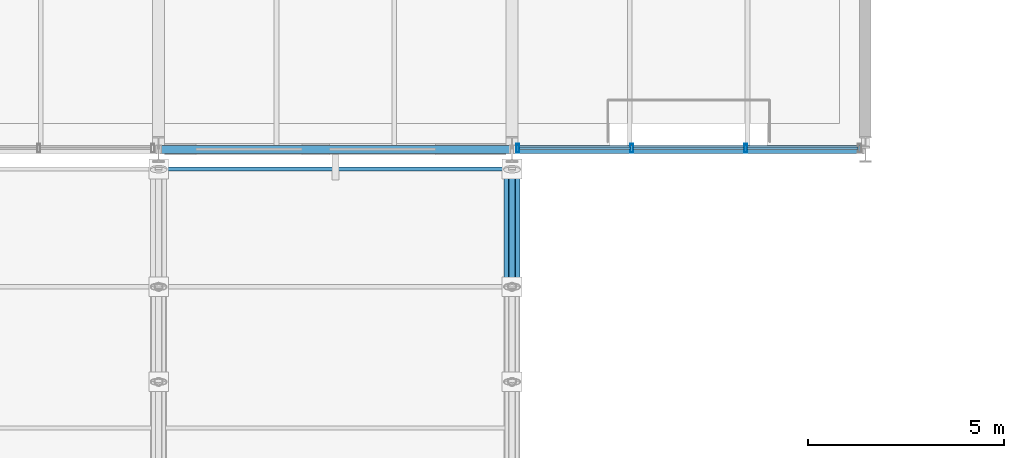
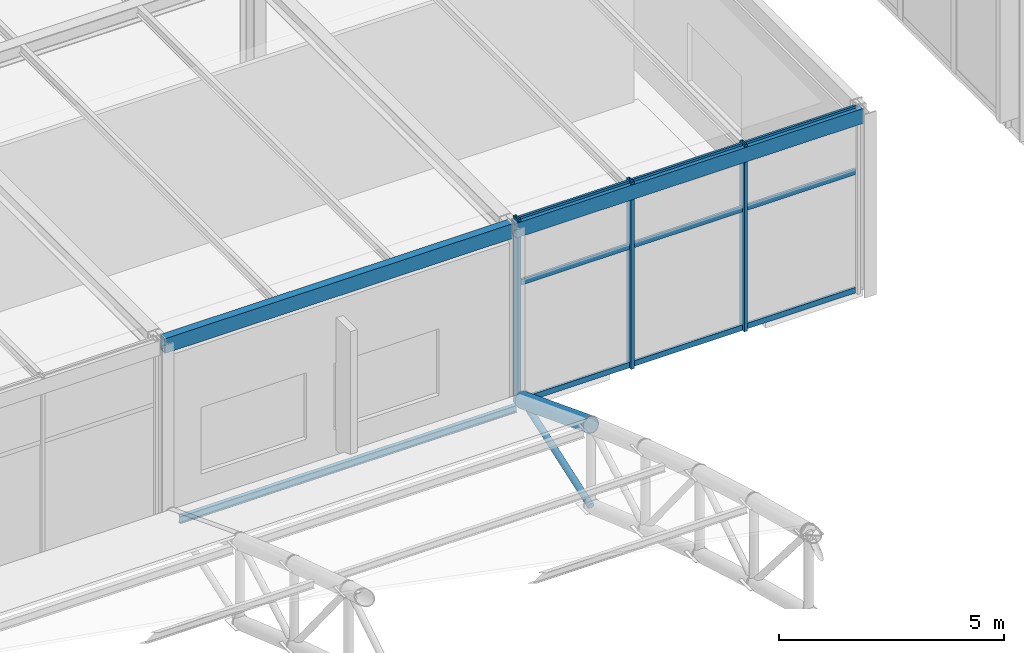
# One storey, part 50 of 195: 15 members, 2 beams, 1 element without a shape of its own.
"""IFC4 building model written with IfcOpenShell, lengths in metres."""

from ifc_helpers import new_model, si_unit, direction, frame, origin, origin_2d, place, context, subcontext, project, spatial, hollow_rectangle, hollow_circle, i_section, extrude, material, layer, layer_set, material_profile, profile_set, type_object, element, aggregate, save


model = new_model("IFC4")

# Units and contexts
model_context = context("Model", 3, precision=1e-05, world=origin(), true_north=direction((0.0, 1.0)))
body_context = subcontext(model_context, "Body", "Model", "MODEL_VIEW")
ifc_project = project(units=[si_unit("LENGTHUNIT", "METRE"), si_unit("AREAUNIT", "SQUARE_METRE"), si_unit("VOLUMEUNIT", "CUBIC_METRE"), si_unit("PLANEANGLEUNIT", "RADIAN"), si_unit("MASSUNIT", "GRAM", prefix="KILO")], contexts=[model_context])

# Site, building, storey
site_placement = place(None, origin())
site = spatial("IfcSite", under=ifc_project, at=site_placement, CompositionType="ELEMENT")
building_placement = place(site_placement, origin())
building = spatial("IfcBuilding", under=site, at=building_placement, Name="Marlcrest Central Station", CompositionType="ELEMENT")
storey_placement = place(building_placement, frame((0.0, 0.0, 9.800048828125)))
storey = spatial("IfcBuildingStorey", under=building, at=storey_placement, Name="L02", CompositionType="ELEMENT", Elevation=9.800048828125)

# Members
ifc_material_1 = material(Name="Steel S355", Category="steel")
ifc_material_profile_1 = material_profile(ifc_material_1, hollow_circle(Radius=0.203125, WallThickness=0.02001953125, at=origin_2d()), Name="CHS 406.4x20")
ifc_profile_set_1 = profile_set([ifc_material_profile_1], Name="Steel S355")
member_type_1 = type_object("IfcMemberType", Name="AC-01", PredefinedType="CHORD", material=ifc_profile_set_1)
member_1_placement = place(storey_placement, frame((72.0, 95.5, 1.599853515625), z_axis=(0.0, 0.933324071143, -0.359035065453), x_axis=(-1.0, 0.0, 0.0)))
element("IfcMember", 1, at=member_1_placement, inside=storey, type_object=member_type_1, Name="mem-AC-01-L02-01087", PredefinedType="CHORD", context=body_context, shape_type="SweptSolid", body=[
    extrude(hollow_circle(Radius=0.203125, WallThickness=0.02001953125, at=origin_2d()), origin(), (0.0, 0.0, 1.0), 3.21435546875),
])
ifc_material_profile_2 = material_profile(ifc_material_1, hollow_circle(Radius=0.084228515625, WallThickness=0.010009765625, at=origin_2d()), Name="CHS 168.3x10")
ifc_profile_set_2 = profile_set([ifc_material_profile_2], Name="Steel S355")
member_type_2 = type_object("IfcMemberType", Name="AD-01", PredefinedType="BRACE", material=ifc_profile_set_2)
member_2_placement = place(storey_placement, frame((72.0, 95.5, -0.60009765625), z_axis=(0.0, 0.944260188635, 0.329200085296), x_axis=(-1.0, 0.0, 0.0)))
element("IfcMember", 2, at=member_2_placement, inside=storey, type_object=member_type_2, Name="mem-AD-01-L02-01089", PredefinedType="BRACE", context=body_context, shape_type="SweptSolid", body=[
    extrude(hollow_circle(Radius=0.084228515625, WallThickness=0.010009765625, at=origin_2d()), origin(), (0.0, 0.0, 1.0), 3.177001953125),
])

# Curtain wall, members
ifc_material_2 = material(Name="Anodised aluminium and hurricane laminated glass", Category="aluminium")
ifc_layer = layer(ifc_material_2, 0.219970703125, Name="CW-U1")
ifc_layer_set = layer_set([ifc_layer], Name="Anodised aluminium and hurricane laminated glass")
curtain_wall_type = type_object("IfcCurtainWallType", Name="CW-U1", PredefinedType="USERDEFINED", material=ifc_layer_set)
curtain_wall_placement = place(storey_placement, origin())
curtain_wall = element("IfcCurtainWall", 3, at=curtain_wall_placement, inside=storey, type_object=curtain_wall_type, Name="cw-L02-0165", ObjectType="UNITISED_CURTAIN_WALL", PredefinedType="USERDEFINED")
ifc_material_3 = material(Name="Anodised aluminium 6063-T6", Category="aluminium")
ifc_material_profile_3 = material_profile(ifc_material_3, hollow_rectangle(XDim=0.080078125, YDim=0.219970703125, WallThickness=0.006103515625, at=origin_2d()), Name="AA-RHS 220x80x6")
ifc_profile_set_3 = profile_set([ifc_material_profile_3], Name="Anodised aluminium 6063-T6")
member_type_3 = type_object("IfcMemberType", Name="ML-01", PredefinedType="MULLION", material=ifc_profile_set_3)
member_3_placement = place(storey_placement, frame((77.949951171875, 99.030029296875, -0.030029296875), z_axis=(0.0, 0.0, 1.0), x_axis=(1.0, 0.0, 0.0)))
member_3 = element("IfcMember", 4, at=member_3_placement, type_object=member_type_3, Name="cw-L02-0165-ml-1", PredefinedType="MULLION", context=body_context, shape_type="SweptSolid", body=[
    extrude(hollow_rectangle(XDim=0.080078125, YDim=0.219970703125, WallThickness=0.006103515625, at=origin_2d()), origin(), (0.0, 0.0, 1.0), 5.06005859375),
])
member_4_placement = place(storey_placement, frame((75.050048828125, 99.030029296875, -0.030029296875), z_axis=(0.0, 0.0, 1.0), x_axis=(1.0, 0.0, 0.0)))
member_4 = element("IfcMember", 5, at=member_4_placement, type_object=member_type_3, Name="cw-L02-0165-ml-2", PredefinedType="MULLION", context=body_context, shape_type="SweptSolid", body=[
    extrude(hollow_rectangle(XDim=0.080078125, YDim=0.219970703125, WallThickness=0.006103515625, at=origin_2d()), origin(), (0.0, 0.0, 1.0), 5.06005859375),
])
member_5_placement = place(storey_placement, frame((72.14990234375, 99.030029296875, -0.030029296875), z_axis=(0.0, 0.0, 1.0), x_axis=(1.0, 0.0, 0.0)))
member_5 = element("IfcMember", 6, at=member_5_placement, type_object=member_type_3, Name="cw-L02-0165-ml-3", PredefinedType="MULLION", context=body_context, shape_type="SweptSolid", body=[
    extrude(hollow_rectangle(XDim=0.080078125, YDim=0.219970703125, WallThickness=0.006103515625, at=origin_2d()), origin(), (0.0, 0.0, 1.0), 5.06005859375),
])

# Member
ifc_material_profile_4 = material_profile(ifc_material_1, i_section(OverallWidth=0.10009765625, OverallDepth=0.199951171875, WebThickness=0.005615234375, FlangeThickness=0.008544921875, FilletRadius=0.011962890625, at=origin_2d()), Name="IPE 200")
ifc_profile_set_4 = profile_set([ifc_material_profile_4], Name="Steel S355")
member_type_4 = type_object("IfcMemberType", Name="PR-01", PredefinedType="PURLIN", material=ifc_profile_set_4)
member_6_placement = place(storey_placement, frame((63.179931640625, 98.5, 0.3056640625), z_axis=(1.0, 0.0, 0.0), x_axis=(0.0, 1.0, 0.0)))
element("IfcMember", 7, at=member_6_placement, inside=storey, type_object=member_type_4, Name="mem-PR-01-L02-00988", PredefinedType="PURLIN", context=body_context, shape_type="SweptSolid", body=[
    extrude(i_section(OverallWidth=0.10009765625, OverallDepth=0.199951171875, WebThickness=0.005615234375, FlangeThickness=0.008544921875, FilletRadius=0.011962890625, at=origin_2d()), origin(), (0.0, 0.0, 1.0), 8.64013671875),
])

# Beams
ifc_material_profile_5 = material_profile(ifc_material_1, hollow_rectangle(XDim=0.199951171875, YDim=0.39990234375, WallThickness=0.01611328125, at=origin_2d()), Name="RHS 400x200x16")
ifc_profile_set_5 = profile_set([ifc_material_profile_5], Name="Steel S355")
beam_type = type_object("IfcBeamType", Name="SP-01", PredefinedType="SPANDREL", material=ifc_profile_set_5)
for number, where, z_axis, x_axis, name in (
    (8, (63.050048828125, 99.0, 4.800048828125), (1.0, 0.0, 0.0), (0.0, 1.0, 0.0), "bm-SP-01-L02-00355"),
    (9, (72.050048828125, 99.0, 4.77490234375), (1.0, 0.0, 0.0), (0.0, 1.0, 0.0), "bm-SP-01-L02-00356"),
):
    element("IfcBeam", number, at=place(storey_placement, frame(where, z_axis=z_axis, x_axis=x_axis)), inside=storey, type_object=beam_type, Name=name, PredefinedType="SPANDREL", context=body_context, shape_type="SweptSolid", body=[
        extrude(hollow_rectangle(XDim=0.199951171875, YDim=0.39990234375, WallThickness=0.01611328125, at=origin_2d()), origin(), (0.0, 0.0, 1.0), 8.89990234375),
    ])

# Member
ifc_material_profile_6 = material_profile(ifc_material_3, hollow_rectangle(XDim=0.06005859375, YDim=0.14990234375, WallThickness=0.00390625, at=origin_2d()), Name="AA-RHS 150x60x4")
ifc_profile_set_6 = profile_set([ifc_material_profile_6], Name="Anodised aluminium 6063-T6")
member_type_5 = type_object("IfcMemberType", Name="TR-01", PredefinedType="USERDEFINED", material=ifc_profile_set_6)
member_7_placement = place(storey_placement, frame((80.81201171875, 99.030029296875, 0.0400390625), z_axis=(-1.0, 0.0, 0.0), x_axis=(0.0, -1.0, 0.0)))
member_7 = element("IfcMember", 10, at=member_7_placement, type_object=member_type_5, Name="cw-L02-0165-tr-0-sill", ObjectType="TRANSOM", PredefinedType="USERDEFINED", context=body_context, shape_type="SweptSolid", body=[
    extrude(hollow_rectangle(XDim=0.06005859375, YDim=0.14990234375, WallThickness=0.00390625, at=origin_2d()), origin(), (0.0, 0.0, 1.0), 2.823974609375),
])

member_8_placement = place(storey_placement, frame((80.81201171875, 99.030029296875, 3.25), z_axis=(-1.0, 0.0, 0.0), x_axis=(0.0, -1.0, 0.0)))
member_8 = element("IfcMember", 11, at=member_8_placement, type_object=member_type_5, Name="cw-L02-0165-tr-0-mid", ObjectType="TRANSOM", PredefinedType="USERDEFINED", context=body_context, shape_type="SweptSolid", body=[
    extrude(hollow_rectangle(XDim=0.06005859375, YDim=0.14990234375, WallThickness=0.00390625, at=origin_2d()), origin(), (0.0, 0.0, 1.0), 2.823974609375),
])

member_9_placement = place(storey_placement, frame((80.81201171875, 99.030029296875, 4.9599609375), z_axis=(-1.0, 0.0, 0.0), x_axis=(0.0, -1.0, 0.0)))
member_9 = element("IfcMember", 12, at=member_9_placement, type_object=member_type_5, Name="cw-L02-0165-tr-0-head", ObjectType="TRANSOM", PredefinedType="USERDEFINED", context=body_context, shape_type="SweptSolid", body=[
    extrude(hollow_rectangle(XDim=0.06005859375, YDim=0.14990234375, WallThickness=0.00390625, at=origin_2d()), origin(), (0.0, 0.0, 1.0), 2.823974609375),
])

member_10_placement = place(storey_placement, frame((77.912109375, 99.030029296875, 0.0400390625), z_axis=(-1.0, 0.0, 0.0), x_axis=(0.0, -1.0, 0.0)))
member_10 = element("IfcMember", 13, at=member_10_placement, type_object=member_type_5, Name="cw-L02-0165-tr-1-sill", ObjectType="TRANSOM", PredefinedType="USERDEFINED", context=body_context, shape_type="SweptSolid", body=[
    extrude(hollow_rectangle(XDim=0.06005859375, YDim=0.14990234375, WallThickness=0.00390625, at=origin_2d()), origin(), (0.0, 0.0, 1.0), 2.82421875),
])

member_11_placement = place(storey_placement, frame((77.912109375, 99.030029296875, 3.25), z_axis=(-1.0, 0.0, 0.0), x_axis=(0.0, -1.0, 0.0)))
member_11 = element("IfcMember", 14, at=member_11_placement, type_object=member_type_5, Name="cw-L02-0165-tr-1-mid", ObjectType="TRANSOM", PredefinedType="USERDEFINED", context=body_context, shape_type="SweptSolid", body=[
    extrude(hollow_rectangle(XDim=0.06005859375, YDim=0.14990234375, WallThickness=0.00390625, at=origin_2d()), origin(), (0.0, 0.0, 1.0), 2.82421875),
])

member_12_placement = place(storey_placement, frame((77.912109375, 99.030029296875, 4.9599609375), z_axis=(-1.0, 0.0, 0.0), x_axis=(0.0, -1.0, 0.0)))
member_12 = element("IfcMember", 15, at=member_12_placement, type_object=member_type_5, Name="cw-L02-0165-tr-1-head", ObjectType="TRANSOM", PredefinedType="USERDEFINED", context=body_context, shape_type="SweptSolid", body=[
    extrude(hollow_rectangle(XDim=0.06005859375, YDim=0.14990234375, WallThickness=0.00390625, at=origin_2d()), origin(), (0.0, 0.0, 1.0), 2.82421875),
])

member_13_placement = place(storey_placement, frame((75.011962890625, 99.030029296875, 0.0400390625), z_axis=(-1.0, 0.0, 0.0), x_axis=(0.0, -1.0, 0.0)))
member_13 = element("IfcMember", 16, at=member_13_placement, type_object=member_type_5, Name="cw-L02-0165-tr-2-sill", ObjectType="TRANSOM", PredefinedType="USERDEFINED", context=body_context, shape_type="SweptSolid", body=[
    extrude(hollow_rectangle(XDim=0.06005859375, YDim=0.14990234375, WallThickness=0.00390625, at=origin_2d()), origin(), (0.0, 0.0, 1.0), 2.823974609375),
])

member_14_placement = place(storey_placement, frame((75.011962890625, 99.030029296875, 3.25), z_axis=(-1.0, 0.0, 0.0), x_axis=(0.0, -1.0, 0.0)))
member_14 = element("IfcMember", 17, at=member_14_placement, type_object=member_type_5, Name="cw-L02-0165-tr-2-mid", ObjectType="TRANSOM", PredefinedType="USERDEFINED", context=body_context, shape_type="SweptSolid", body=[
    extrude(hollow_rectangle(XDim=0.06005859375, YDim=0.14990234375, WallThickness=0.00390625, at=origin_2d()), origin(), (0.0, 0.0, 1.0), 2.823974609375),
])

member_15_placement = place(storey_placement, frame((75.011962890625, 99.030029296875, 4.9599609375), z_axis=(-1.0, 0.0, 0.0), x_axis=(0.0, -1.0, 0.0)))
member_15 = element("IfcMember", 18, at=member_15_placement, type_object=member_type_5, Name="cw-L02-0165-tr-2-head", ObjectType="TRANSOM", PredefinedType="USERDEFINED", context=body_context, shape_type="SweptSolid", body=[
    extrude(hollow_rectangle(XDim=0.06005859375, YDim=0.14990234375, WallThickness=0.00390625, at=origin_2d()), origin(), (0.0, 0.0, 1.0), 2.823974609375),
])

aggregate(curtain_wall, [member_3, member_4, member_5, member_7, member_8, member_9, member_10, member_11, member_12, member_13, member_14, member_15])

save(model, "model.ifc")
